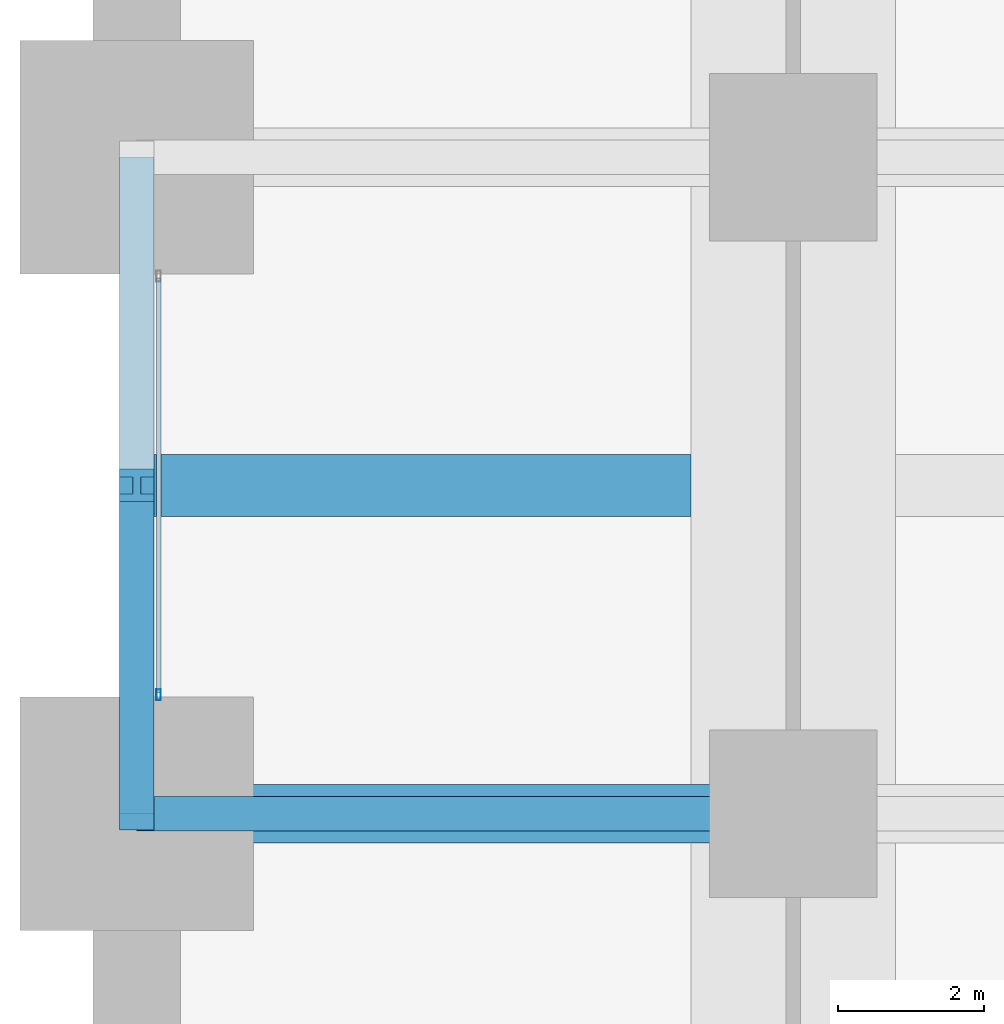
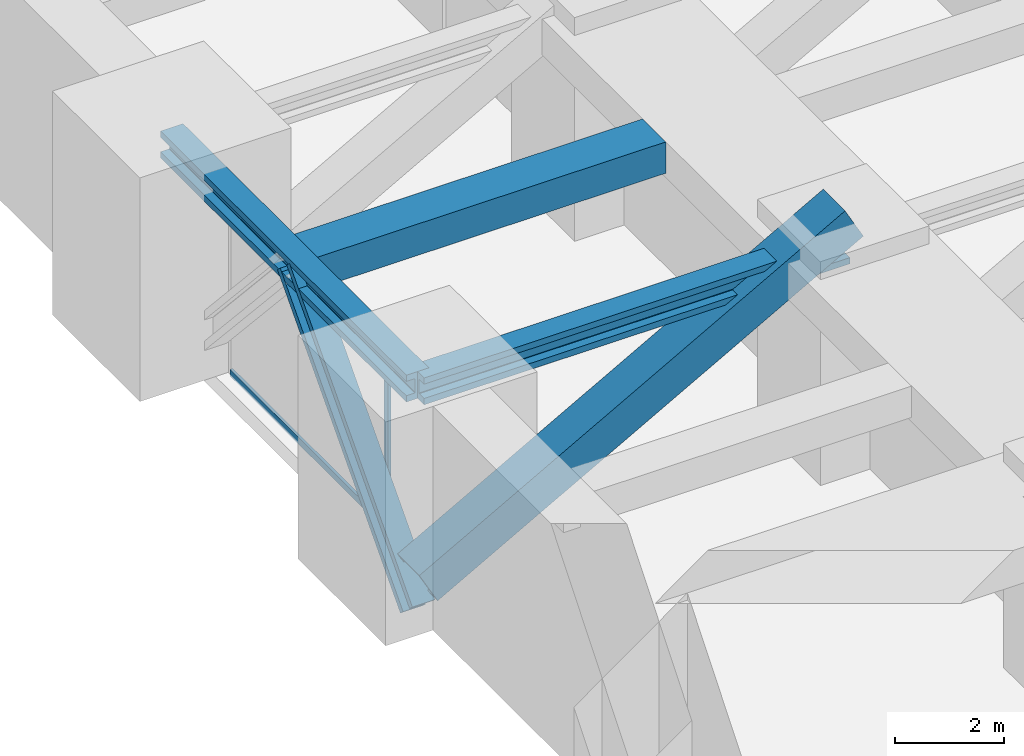
# One storey, part 6 of 35: 4 members, 3 beams, 1 element without a shape of its own.
"""IFC4 building model written with IfcOpenShell, lengths in metres."""

from ifc_helpers import new_model, si_unit, direction, frame, origin, origin_2d, place, context, subcontext, project, spatial, rectangle, hollow_rectangle, i_section, extrude, material, material_profile, profile_set, type_object, element, aggregate, save


model = new_model("IFC4")

# Units and contexts
model_context = context("Model", 3, precision=1e-05, world=origin(), true_north=direction((0.0, 1.0)))
body_context = subcontext(model_context, "Body", "Model", "MODEL_VIEW")
ifc_project = project(units=[si_unit("LENGTHUNIT", "METRE"), si_unit("AREAUNIT", "SQUARE_METRE"), si_unit("VOLUMEUNIT", "CUBIC_METRE"), si_unit("PLANEANGLEUNIT", "RADIAN"), si_unit("MASSUNIT", "GRAM", prefix="KILO")], contexts=[model_context])

# Site, building, storey
site_placement = place(None, origin())
site = spatial("IfcSite", under=ifc_project, at=site_placement, CompositionType="ELEMENT")
building_placement = place(site_placement, origin())
building = spatial("IfcBuilding", under=site, at=building_placement, Name="Zorevar Civic Tower", CompositionType="ELEMENT")
storey_placement = place(building_placement, frame((0.0, 0.0, 80.0)))
storey = spatial("IfcBuildingStorey", under=building, at=storey_placement, Name="L19", CompositionType="ELEMENT", Elevation=80.0)

# Beams
ifc_material_1 = material(Name="Concrete C50/60", Category="concrete")
ifc_material_profile_1 = material_profile(ifc_material_1, rectangle(XDim=0.85009765625, YDim=0.699951171875, at=origin_2d()), Name="RC 850x700")
ifc_profile_set_1 = profile_set([ifc_material_profile_1], Name="Concrete C50/60")
beam_type_1 = type_object("IfcBeamType", Name="Beam RC 850x700", PredefinedType="BEAM", material=ifc_profile_set_1)
beam_1_placement = place(storey_placement, frame((0.238037109375, 22.5, 4.25), z_axis=(1.0, 0.0, 0.0), x_axis=(0.0, 1.0, 0.0)))
element("IfcBeam", 1, at=beam_1_placement, inside=storey, type_object=beam_type_1, Name="Secondary beam L20", PredefinedType="BEAM", context=body_context, shape_type="SweptSolid", body=[
    extrude(rectangle(XDim=0.85009765625, YDim=0.699951171875, at=origin_2d()), origin(), (0.0, 0.0, 1.0), 7.362060546875),
])
ifc_material_2 = material(Name="Steel S460M (HISTAR 460)", Category="steel")
ifc_material_profile_2 = material_profile(ifc_material_2, i_section(OverallWidth=0.47607421875, OverallDepth=0.60009765625, WebThickness=0.10009765625, FlangeThickness=0.139892578125, FilletRadius=0.014892578125, at=origin_2d()), Name="HD 400x1299")
ifc_profile_set_2 = profile_set([ifc_material_profile_2], Name="Steel S460M (HISTAR 460)")
beam_type_2 = type_object("IfcBeamType", Name="Belt chord HD 400x1299", PredefinedType="BEAM", material=ifc_profile_set_2)
beam_2_placement = place(storey_placement, frame((0.0, 18.0, 4.300048828125), z_axis=(0.0, 1.0, 0.0), x_axis=(-1.0, 0.0, 0.0)))
element("IfcBeam", 2, at=beam_2_placement, inside=storey, type_object=beam_type_2, Name="Belt chord L20", PredefinedType="BEAM", context=body_context, shape_type="SweptSolid", body=[
    extrude(i_section(OverallWidth=0.47607421875, OverallDepth=0.60009765625, WebThickness=0.10009765625, FlangeThickness=0.139892578125, FilletRadius=0.014892578125, at=origin_2d()), origin(), (0.0, 0.0, 1.0), 9.0),
])

# Member
ifc_material_3 = material(Name="Steel S460M (HISTAR 460)", Category="steel")
ifc_material_profile_3 = material_profile(ifc_material_3, i_section(OverallWidth=0.47607421875, OverallDepth=0.60009765625, WebThickness=0.10009765625, FlangeThickness=0.139892578125, FilletRadius=0.014892578125, at=origin_2d()), Name="HD 400x1299")
ifc_profile_set_3 = profile_set([ifc_material_profile_3], Name="Steel S460M (HISTAR 460)")
member_type_1 = type_object("IfcMemberType", Name="Belt strut HD 400x1299", PredefinedType="BRACE", material=ifc_profile_set_3)
member_1_placement = place(storey_placement, frame((0.0, 18.0, -0.64990234375), z_axis=(0.0, 0.672676426978, 0.739936770669), x_axis=(-1.0, 0.0, 0.0)))
element("IfcMember", 3, at=member_1_placement, inside=storey, type_object=member_type_1, Name="Belt strut W L19", PredefinedType="BRACE", context=body_context, shape_type="SweptSolid", body=[
    extrude(i_section(OverallWidth=0.47607421875, OverallDepth=0.60009765625, WebThickness=0.10009765625, FlangeThickness=0.139892578125, FilletRadius=0.014892578125, at=origin_2d()), origin(), (0.0, 0.0, 1.0), 6.689697265625),
])

# Curtain wall, members
ifc_material_4 = material(Name="Black aluminium louvres", Category="aluminium")
curtain_wall_type = type_object("IfcCurtainWallType", Name="Louvred curtain wall CW6 refuge", PredefinedType="NOTDEFINED", material=ifc_material_4)
curtain_wall_placement = place(storey_placement, origin())
curtain_wall = element("IfcCurtainWall", 4, at=curtain_wall_placement, inside=storey, type_object=curtain_wall_type, Name="CW6 L19", PredefinedType="NOTDEFINED")
ifc_material_5 = material(Name="Aluminium, black anodised", Category="aluminium")
ifc_material_profile_4 = material_profile(ifc_material_5, hollow_rectangle(XDim=0.06005859375, YDim=0.14990234375, WallThickness=0.00390625, at=origin_2d()), Name="AL 150x60x4")
ifc_profile_set_4 = profile_set([ifc_material_profile_4], Name="Aluminium, black anodised")
member_type_2 = type_object("IfcMemberType", Name="CW6 mullion AL 150x60x4", PredefinedType="MULLION", material=ifc_profile_set_4)
member_2_placement = place(storey_placement, frame((0.300048828125, 19.6298828125, 0.0), z_axis=(0.0, 0.0, 1.0), x_axis=(-1.0, 0.0, 0.0)))
member_2 = element("IfcMember", 5, at=member_2_placement, type_object=member_type_2, Name="CW6 mullion 1", PredefinedType="MULLION", context=body_context, shape_type="SweptSolid", body=[
    extrude(hollow_rectangle(XDim=0.06005859375, YDim=0.14990234375, WallThickness=0.00390625, at=origin_2d()), origin(), (0.0, 0.0, 1.0), 3.800048828125),
])
ifc_material_6 = material(Name="Aluminium, black anodised", Category="aluminium")
ifc_material_profile_5 = material_profile(ifc_material_6, hollow_rectangle(XDim=0.06005859375, YDim=0.14990234375, WallThickness=0.00390625, at=origin_2d()), Name="AL 150x60x4")
ifc_profile_set_5 = profile_set([ifc_material_profile_5], Name="Aluminium, black anodised")
member_type_3 = type_object("IfcMemberType", Name="CW6 transom AL 150x60x4", PredefinedType="USERDEFINED", material=ifc_profile_set_5)
member_3_placement = place(storey_placement, frame((0.300048828125, 19.659912109375, 0.030029296875), z_axis=(0.0, 1.0, 0.0), x_axis=(-1.0, 0.0, 0.0)))
member_3 = element("IfcMember", 6, at=member_3_placement, type_object=member_type_3, Name="CW6 sill transom", ObjectType="TRANSOM", PredefinedType="USERDEFINED", context=body_context, shape_type="SweptSolid", body=[
    extrude(hollow_rectangle(XDim=0.06005859375, YDim=0.14990234375, WallThickness=0.00390625, at=origin_2d()), origin(), (0.0, 0.0, 1.0), 5.68017578125),
])
aggregate(curtain_wall, [member_2, member_3])

# Beam
ifc_material_7 = material(Name="Steel S460M (HISTAR 460)", Category="steel")
ifc_material_profile_6 = material_profile(ifc_material_7, i_section(OverallWidth=0.47607421875, OverallDepth=0.60009765625, WebThickness=0.10009765625, FlangeThickness=0.139892578125, FilletRadius=0.014892578125, at=origin_2d()), Name="HD 400x1299")
ifc_profile_set_6 = profile_set([ifc_material_profile_6], Name="Steel S460M (HISTAR 460)")
beam_type_3 = type_object("IfcBeamType", Name="Outrigger chord HD 400x1299", PredefinedType="BEAM", material=ifc_profile_set_6)
beam_3_placement = place(storey_placement, frame((0.0, 18.0, 4.300048828125), z_axis=(1.0, 0.0, 0.0), x_axis=(0.0, 1.0, 0.0)))
element("IfcBeam", 7, at=beam_3_placement, inside=storey, type_object=beam_type_3, Name="Outrigger chord L20", PredefinedType="BEAM", context=body_context, shape_type="SweptSolid", body=[
    extrude(i_section(OverallWidth=0.47607421875, OverallDepth=0.60009765625, WebThickness=0.10009765625, FlangeThickness=0.139892578125, FilletRadius=0.014892578125, at=origin_2d()), origin(), (0.0, 0.0, 1.0), 9.0),
])

# Member
ifc_material_8 = material(Name="Steel S460M (HISTAR 460)", Category="steel")
ifc_material_profile_7 = material_profile(ifc_material_8, hollow_rectangle(XDim=0.800048828125, YDim=0.800048828125, WallThickness=0.06005859375, at=origin_2d()), Name="BOX 800x800x60")
ifc_profile_set_7 = profile_set([ifc_material_profile_7], Name="Steel S460M (HISTAR 460)")
member_type_4 = type_object("IfcMemberType", Name="Outrigger diagonal BOX 800x800x60", PredefinedType="BRACE", material=ifc_profile_set_7)
member_4_placement = place(storey_placement, frame((9.0, 18.0, 5.0), z_axis=(-0.874157276122, 0.0, -0.485642931179), x_axis=(0.0, -1.0, 0.0)))
element("IfcMember", 8, at=member_4_placement, inside=storey, type_object=member_type_4, Name="Outrigger diagonal W L19", PredefinedType="BRACE", context=body_context, shape_type="SweptSolid", body=[
    extrude(hollow_rectangle(XDim=0.800048828125, YDim=0.800048828125, WallThickness=0.06005859375, at=origin_2d()), origin(), (0.0, 0.0, 1.0), 10.295654296875),
])

save(model, "model.ifc")
